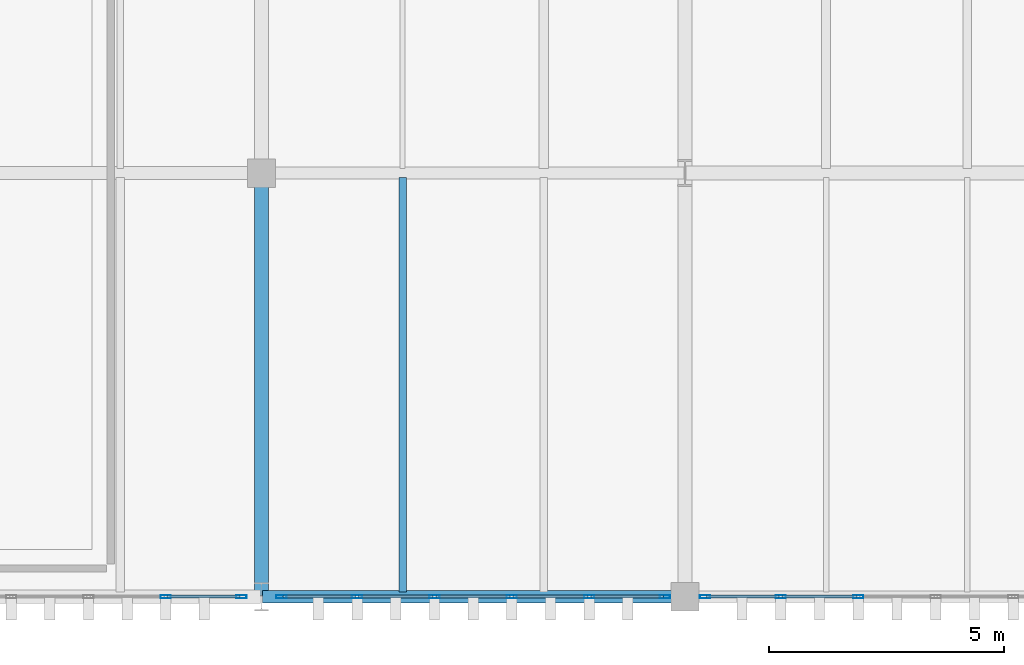
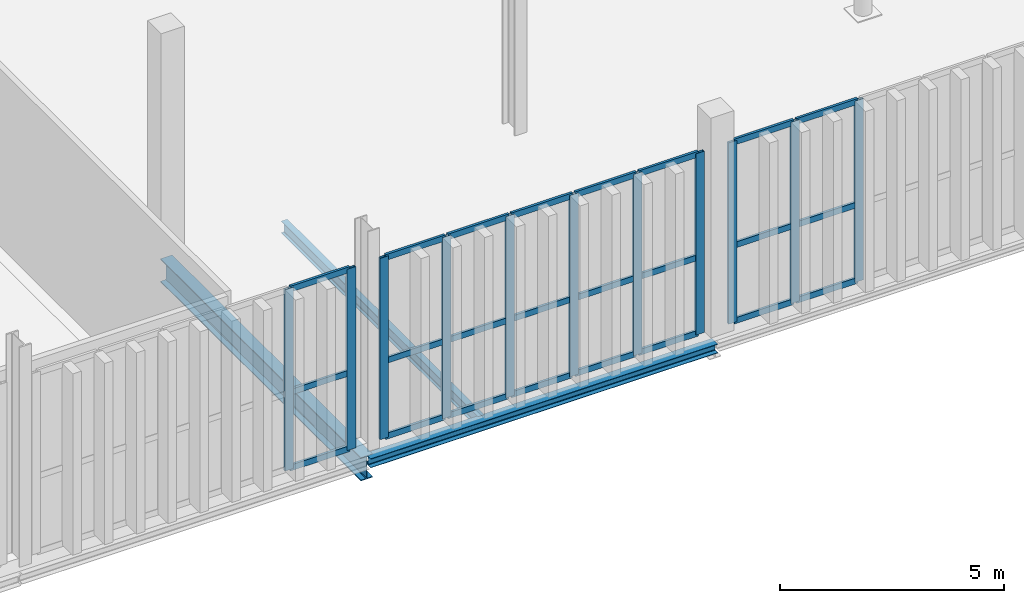
# One storey, part 89 of 211: 35 members, 3 beams, 3 elements without a shape of their own.
"""IFC4 building model written with IfcOpenShell, lengths in metres."""

from ifc_helpers import new_model, si_unit, direction, frame, origin, origin_2d, place, context, subcontext, project, spatial, hollow_rectangle, i_section, extrude, material, layer, layer_set, material_profile, profile_set, type_object, element, aggregate, save


model = new_model("IFC4")

# Units and contexts
model_context = context("Model", 3, precision=1e-05, world=origin(), true_north=direction((0.0, 1.0)))
body_context = subcontext(model_context, "Body", "Model", "MODEL_VIEW")
ifc_project = project(units=[si_unit("LENGTHUNIT", "METRE"), si_unit("AREAUNIT", "SQUARE_METRE"), si_unit("VOLUMEUNIT", "CUBIC_METRE"), si_unit("PLANEANGLEUNIT", "RADIAN"), si_unit("MASSUNIT", "GRAM", prefix="KILO")], contexts=[model_context])

# Site, building, storey
site_placement = place(None, origin())
site = spatial("IfcSite", under=ifc_project, at=site_placement, CompositionType="ELEMENT")
building_placement = place(site_placement, origin())
building = spatial("IfcBuilding", under=site, at=building_placement, Name="Barlavento Convention Centre", CompositionType="ELEMENT")
storey_placement = place(building_placement, frame((0.0, 0.0, 6.0)))
storey = spatial("IfcBuildingStorey", under=building, at=storey_placement, Name="L01", CompositionType="ELEMENT", Elevation=6.0)

# Curtain wall, members
ifc_material_1 = material(Name="Powder-coated aluminium and Low-E glass", Category="aluminium")
ifc_layer = layer(ifc_material_1, 0.18994140625)
ifc_layer_set = layer_set([ifc_layer], Name="ARC-CW-BALL-L01")
curtain_wall_type = type_object("IfcCurtainWallType", Name="ARC-CW-BALL-L01", PredefinedType="NOTDEFINED", material=ifc_layer_set)
curtain_wall_1_placement = place(storey_placement, origin())
curtain_wall_1 = element("IfcCurtainWall", 1, at=curtain_wall_1_placement, inside=storey, type_object=curtain_wall_type, Name="L01 unitised curtain wall CW06", PredefinedType="NOTDEFINED")
ifc_material_2 = material(Name="Powder-coated aluminium", Category="aluminium")
ifc_material_profile_1 = material_profile(ifc_material_2, hollow_rectangle(XDim=0.070068359375, YDim=0.219970703125, WallThickness=0.006103515625, at=origin_2d()), Name="AL-MULL 70x220x6")
ifc_profile_set_1 = profile_set([ifc_material_profile_1], Name="Powder-coated aluminium")
member_type_1 = type_object("IfcMemberType", Name="ARC-CWM-70X220", PredefinedType="MULLION", material=ifc_profile_set_1)
member_1_placement = place(storey_placement, frame((159.968017578125, 0.0, 0.0), z_axis=(0.0, 0.0, 1.0), x_axis=(0.0, 1.0, 0.0)))
member_1 = element("IfcMember", 2, at=member_1_placement, type_object=member_type_1, Name="CW06 mullion 5", PredefinedType="MULLION", context=body_context, shape_type="SweptSolid", body=[
    extrude(hollow_rectangle(XDim=0.070068359375, YDim=0.219970703125, WallThickness=0.006103515625, at=origin_2d()), origin(), (0.0, 0.0, 1.0), 4.949951171875),
])
member_2_placement = place(storey_placement, frame((161.574951171875, 0.0, 0.0), z_axis=(0.0, 0.0, 1.0), x_axis=(0.0, 1.0, 0.0)))
member_2 = element("IfcMember", 3, at=member_2_placement, type_object=member_type_1, Name="CW06 mullion 6", PredefinedType="MULLION", context=body_context, shape_type="SweptSolid", body=[
    extrude(hollow_rectangle(XDim=0.070068359375, YDim=0.219970703125, WallThickness=0.006103515625, at=origin_2d()), origin(), (0.0, 0.0, 1.0), 4.949951171875),
])

curtain_wall_2_placement = place(storey_placement, origin())
curtain_wall_2 = element("IfcCurtainWall", 4, at=curtain_wall_2_placement, inside=storey, type_object=curtain_wall_type, Name="L01 unitised curtain wall CW06", PredefinedType="NOTDEFINED")
member_3_placement = place(storey_placement, frame((162.425048828125, 0.0, 0.0), z_axis=(0.0, 0.0, 1.0), x_axis=(0.0, 1.0, 0.0)))
member_3 = element("IfcMember", 5, at=member_3_placement, type_object=member_type_1, Name="CW06 mullion 1", PredefinedType="MULLION", context=body_context, shape_type="SweptSolid", body=[
    extrude(hollow_rectangle(XDim=0.070068359375, YDim=0.219970703125, WallThickness=0.006103515625, at=origin_2d()), origin(), (0.0, 0.0, 1.0), 4.949951171875),
])
member_4_placement = place(storey_placement, frame((164.033935546875, 0.0, 0.0), z_axis=(0.0, 0.0, 1.0), x_axis=(0.0, 1.0, 0.0)))
member_4 = element("IfcMember", 6, at=member_4_placement, type_object=member_type_1, Name="CW06 mullion 2", PredefinedType="MULLION", context=body_context, shape_type="SweptSolid", body=[
    extrude(hollow_rectangle(XDim=0.070068359375, YDim=0.219970703125, WallThickness=0.006103515625, at=origin_2d()), origin(), (0.0, 0.0, 1.0), 4.949951171875),
])
member_5_placement = place(storey_placement, frame((165.677978515625, 0.0, 0.0), z_axis=(0.0, 0.0, 1.0), x_axis=(0.0, 1.0, 0.0)))
member_5 = element("IfcMember", 7, at=member_5_placement, type_object=member_type_1, Name="CW06 mullion 3", PredefinedType="MULLION", context=body_context, shape_type="SweptSolid", body=[
    extrude(hollow_rectangle(XDim=0.070068359375, YDim=0.219970703125, WallThickness=0.006103515625, at=origin_2d()), origin(), (0.0, 0.0, 1.0), 4.949951171875),
])
member_6_placement = place(storey_placement, frame((167.322021484375, 0.0, 0.0), z_axis=(0.0, 0.0, 1.0), x_axis=(0.0, 1.0, 0.0)))
member_6 = element("IfcMember", 8, at=member_6_placement, type_object=member_type_1, Name="CW06 mullion 4", PredefinedType="MULLION", context=body_context, shape_type="SweptSolid", body=[
    extrude(hollow_rectangle(XDim=0.070068359375, YDim=0.219970703125, WallThickness=0.006103515625, at=origin_2d()), origin(), (0.0, 0.0, 1.0), 4.949951171875),
])
member_7_placement = place(storey_placement, frame((168.966064453125, 0.0, 0.0), z_axis=(0.0, 0.0, 1.0), x_axis=(0.0, 1.0, 0.0)))
member_7 = element("IfcMember", 9, at=member_7_placement, type_object=member_type_1, Name="CW06 mullion 5", PredefinedType="MULLION", context=body_context, shape_type="SweptSolid", body=[
    extrude(hollow_rectangle(XDim=0.070068359375, YDim=0.219970703125, WallThickness=0.006103515625, at=origin_2d()), origin(), (0.0, 0.0, 1.0), 4.949951171875),
])
member_8_placement = place(storey_placement, frame((170.574951171875, 0.0, 0.0), z_axis=(0.0, 0.0, 1.0), x_axis=(0.0, 1.0, 0.0)))
member_8 = element("IfcMember", 10, at=member_8_placement, type_object=member_type_1, Name="CW06 mullion 6", PredefinedType="MULLION", context=body_context, shape_type="SweptSolid", body=[
    extrude(hollow_rectangle(XDim=0.070068359375, YDim=0.219970703125, WallThickness=0.006103515625, at=origin_2d()), origin(), (0.0, 0.0, 1.0), 4.949951171875),
])

curtain_wall_3_placement = place(storey_placement, origin())
curtain_wall_3 = element("IfcCurtainWall", 11, at=curtain_wall_3_placement, inside=storey, type_object=curtain_wall_type, Name="L01 unitised curtain wall CW06", PredefinedType="NOTDEFINED")
member_9_placement = place(storey_placement, frame((171.425048828125, 0.0, 0.0), z_axis=(0.0, 0.0, 1.0), x_axis=(0.0, 1.0, 0.0)))
member_9 = element("IfcMember", 12, at=member_9_placement, type_object=member_type_1, Name="CW06 mullion 1", PredefinedType="MULLION", context=body_context, shape_type="SweptSolid", body=[
    extrude(hollow_rectangle(XDim=0.070068359375, YDim=0.219970703125, WallThickness=0.006103515625, at=origin_2d()), origin(), (0.0, 0.0, 1.0), 4.949951171875),
])
member_10_placement = place(storey_placement, frame((173.036865234375, 0.0, 0.0), z_axis=(0.0, 0.0, 1.0), x_axis=(0.0, 1.0, 0.0)))
member_10 = element("IfcMember", 13, at=member_10_placement, type_object=member_type_1, Name="CW06 mullion 2", PredefinedType="MULLION", context=body_context, shape_type="SweptSolid", body=[
    extrude(hollow_rectangle(XDim=0.070068359375, YDim=0.219970703125, WallThickness=0.006103515625, at=origin_2d()), origin(), (0.0, 0.0, 1.0), 4.949951171875),
])
member_11_placement = place(storey_placement, frame((174.68359375, 0.0, 0.0), z_axis=(0.0, 0.0, 1.0), x_axis=(0.0, 1.0, 0.0)))
member_11 = element("IfcMember", 14, at=member_11_placement, type_object=member_type_1, Name="CW06 mullion 3", PredefinedType="MULLION", context=body_context, shape_type="SweptSolid", body=[
    extrude(hollow_rectangle(XDim=0.070068359375, YDim=0.219970703125, WallThickness=0.006103515625, at=origin_2d()), origin(), (0.0, 0.0, 1.0), 4.949951171875),
])

# Member
ifc_material_profile_2 = material_profile(ifc_material_2, hollow_rectangle(XDim=0.06494140625, YDim=0.159912109375, WallThickness=0.0048828125, at=origin_2d()), Name="AL-TRAN 65x160x5")
ifc_profile_set_2 = profile_set([ifc_material_profile_2], Name="Powder-coated aluminium")
member_type_2 = type_object("IfcMemberType", Name="ARC-CWT-65X160", PredefinedType="USERDEFINED", material=ifc_profile_set_2)
member_12_placement = place(storey_placement, frame((160.0029296875, 0.0, 0.032470703125), z_axis=(1.0, 0.0, 0.0), x_axis=(0.0, 1.0, 0.0)))
member_12 = element("IfcMember", 15, at=member_12_placement, type_object=member_type_2, Name="CW06 transom 5.1", ObjectType="TRANSOM", PredefinedType="USERDEFINED", context=body_context, shape_type="SweptSolid", body=[
    extrude(hollow_rectangle(XDim=0.06494140625, YDim=0.159912109375, WallThickness=0.0048828125, at=origin_2d()), origin(), (0.0, 0.0, 1.0), 1.537109375),
])

member_13_placement = place(storey_placement, frame((160.0029296875, 0.0, 2.10009765625), z_axis=(1.0, 0.0, 0.0), x_axis=(0.0, 1.0, 0.0)))
member_13 = element("IfcMember", 16, at=member_13_placement, type_object=member_type_2, Name="CW06 transom 5.2", ObjectType="TRANSOM", PredefinedType="USERDEFINED", context=body_context, shape_type="SweptSolid", body=[
    extrude(hollow_rectangle(XDim=0.06494140625, YDim=0.159912109375, WallThickness=0.0048828125, at=origin_2d()), origin(), (0.0, 0.0, 1.0), 1.537109375),
])

member_14_placement = place(storey_placement, frame((160.0029296875, 0.0, 4.91748046875), z_axis=(1.0, 0.0, 0.0), x_axis=(0.0, 1.0, 0.0)))
member_14 = element("IfcMember", 17, at=member_14_placement, type_object=member_type_2, Name="CW06 transom 5.3", ObjectType="TRANSOM", PredefinedType="USERDEFINED", context=body_context, shape_type="SweptSolid", body=[
    extrude(hollow_rectangle(XDim=0.06494140625, YDim=0.159912109375, WallThickness=0.0048828125, at=origin_2d()), origin(), (0.0, 0.0, 1.0), 1.537109375),
])

aggregate(curtain_wall_1, [member_1, member_2, member_12, member_13, member_14])

member_15_placement = place(storey_placement, frame((162.4599609375, 0.0, 0.032470703125), z_axis=(1.0, 0.0, 0.0), x_axis=(0.0, 1.0, 0.0)))
member_15 = element("IfcMember", 18, at=member_15_placement, type_object=member_type_2, Name="CW06 transom 1.1", ObjectType="TRANSOM", PredefinedType="USERDEFINED", context=body_context, shape_type="SweptSolid", body=[
    extrude(hollow_rectangle(XDim=0.06494140625, YDim=0.159912109375, WallThickness=0.0048828125, at=origin_2d()), origin(), (0.0, 0.0, 1.0), 1.5390625),
])

member_16_placement = place(storey_placement, frame((162.4599609375, 0.0, 2.10009765625), z_axis=(1.0, 0.0, 0.0), x_axis=(0.0, 1.0, 0.0)))
member_16 = element("IfcMember", 19, at=member_16_placement, type_object=member_type_2, Name="CW06 transom 1.2", ObjectType="TRANSOM", PredefinedType="USERDEFINED", context=body_context, shape_type="SweptSolid", body=[
    extrude(hollow_rectangle(XDim=0.06494140625, YDim=0.159912109375, WallThickness=0.0048828125, at=origin_2d()), origin(), (0.0, 0.0, 1.0), 1.5390625),
])

member_17_placement = place(storey_placement, frame((162.4599609375, 0.0, 4.91748046875), z_axis=(1.0, 0.0, 0.0), x_axis=(0.0, 1.0, 0.0)))
member_17 = element("IfcMember", 20, at=member_17_placement, type_object=member_type_2, Name="CW06 transom 1.3", ObjectType="TRANSOM", PredefinedType="USERDEFINED", context=body_context, shape_type="SweptSolid", body=[
    extrude(hollow_rectangle(XDim=0.06494140625, YDim=0.159912109375, WallThickness=0.0048828125, at=origin_2d()), origin(), (0.0, 0.0, 1.0), 1.5390625),
])

member_18_placement = place(storey_placement, frame((164.069091796875, 0.0, 0.032470703125), z_axis=(1.0, 0.0, 0.0), x_axis=(0.0, 1.0, 0.0)))
member_18 = element("IfcMember", 21, at=member_18_placement, type_object=member_type_2, Name="CW06 transom 2.1", ObjectType="TRANSOM", PredefinedType="USERDEFINED", context=body_context, shape_type="SweptSolid", body=[
    extrude(hollow_rectangle(XDim=0.06494140625, YDim=0.159912109375, WallThickness=0.0048828125, at=origin_2d()), origin(), (0.0, 0.0, 1.0), 1.573974609375),
])

member_19_placement = place(storey_placement, frame((164.069091796875, 0.0, 2.10009765625), z_axis=(1.0, 0.0, 0.0), x_axis=(0.0, 1.0, 0.0)))
member_19 = element("IfcMember", 22, at=member_19_placement, type_object=member_type_2, Name="CW06 transom 2.2", ObjectType="TRANSOM", PredefinedType="USERDEFINED", context=body_context, shape_type="SweptSolid", body=[
    extrude(hollow_rectangle(XDim=0.06494140625, YDim=0.159912109375, WallThickness=0.0048828125, at=origin_2d()), origin(), (0.0, 0.0, 1.0), 1.573974609375),
])

member_20_placement = place(storey_placement, frame((164.069091796875, 0.0, 4.91748046875), z_axis=(1.0, 0.0, 0.0), x_axis=(0.0, 1.0, 0.0)))
member_20 = element("IfcMember", 23, at=member_20_placement, type_object=member_type_2, Name="CW06 transom 2.3", ObjectType="TRANSOM", PredefinedType="USERDEFINED", context=body_context, shape_type="SweptSolid", body=[
    extrude(hollow_rectangle(XDim=0.06494140625, YDim=0.159912109375, WallThickness=0.0048828125, at=origin_2d()), origin(), (0.0, 0.0, 1.0), 1.573974609375),
])

member_21_placement = place(storey_placement, frame((165.712890625, 0.0, 0.032470703125), z_axis=(1.0, 0.0, 0.0), x_axis=(0.0, 1.0, 0.0)))
member_21 = element("IfcMember", 24, at=member_21_placement, type_object=member_type_2, Name="CW06 transom 3.1", ObjectType="TRANSOM", PredefinedType="USERDEFINED", context=body_context, shape_type="SweptSolid", body=[
    extrude(hollow_rectangle(XDim=0.06494140625, YDim=0.159912109375, WallThickness=0.0048828125, at=origin_2d()), origin(), (0.0, 0.0, 1.0), 1.57421875),
])

member_22_placement = place(storey_placement, frame((165.712890625, 0.0, 2.10009765625), z_axis=(1.0, 0.0, 0.0), x_axis=(0.0, 1.0, 0.0)))
member_22 = element("IfcMember", 25, at=member_22_placement, type_object=member_type_2, Name="CW06 transom 3.2", ObjectType="TRANSOM", PredefinedType="USERDEFINED", context=body_context, shape_type="SweptSolid", body=[
    extrude(hollow_rectangle(XDim=0.06494140625, YDim=0.159912109375, WallThickness=0.0048828125, at=origin_2d()), origin(), (0.0, 0.0, 1.0), 1.57421875),
])

member_23_placement = place(storey_placement, frame((165.712890625, 0.0, 4.91748046875), z_axis=(1.0, 0.0, 0.0), x_axis=(0.0, 1.0, 0.0)))
member_23 = element("IfcMember", 26, at=member_23_placement, type_object=member_type_2, Name="CW06 transom 3.3", ObjectType="TRANSOM", PredefinedType="USERDEFINED", context=body_context, shape_type="SweptSolid", body=[
    extrude(hollow_rectangle(XDim=0.06494140625, YDim=0.159912109375, WallThickness=0.0048828125, at=origin_2d()), origin(), (0.0, 0.0, 1.0), 1.57421875),
])

member_24_placement = place(storey_placement, frame((167.35693359375, 0.0, 0.032470703125), z_axis=(1.0, 0.0, 0.0), x_axis=(0.0, 1.0, 0.0)))
member_24 = element("IfcMember", 27, at=member_24_placement, type_object=member_type_2, Name="CW06 transom 4.1", ObjectType="TRANSOM", PredefinedType="USERDEFINED", context=body_context, shape_type="SweptSolid", body=[
    extrude(hollow_rectangle(XDim=0.06494140625, YDim=0.159912109375, WallThickness=0.0048828125, at=origin_2d()), origin(), (0.0, 0.0, 1.0), 1.573974609375),
])

member_25_placement = place(storey_placement, frame((167.35693359375, 0.0, 2.10009765625), z_axis=(1.0, 0.0, 0.0), x_axis=(0.0, 1.0, 0.0)))
member_25 = element("IfcMember", 28, at=member_25_placement, type_object=member_type_2, Name="CW06 transom 4.2", ObjectType="TRANSOM", PredefinedType="USERDEFINED", context=body_context, shape_type="SweptSolid", body=[
    extrude(hollow_rectangle(XDim=0.06494140625, YDim=0.159912109375, WallThickness=0.0048828125, at=origin_2d()), origin(), (0.0, 0.0, 1.0), 1.573974609375),
])

member_26_placement = place(storey_placement, frame((167.35693359375, 0.0, 4.91748046875), z_axis=(1.0, 0.0, 0.0), x_axis=(0.0, 1.0, 0.0)))
member_26 = element("IfcMember", 29, at=member_26_placement, type_object=member_type_2, Name="CW06 transom 4.3", ObjectType="TRANSOM", PredefinedType="USERDEFINED", context=body_context, shape_type="SweptSolid", body=[
    extrude(hollow_rectangle(XDim=0.06494140625, YDim=0.159912109375, WallThickness=0.0048828125, at=origin_2d()), origin(), (0.0, 0.0, 1.0), 1.573974609375),
])

member_27_placement = place(storey_placement, frame((169.0009765625, 0.0, 0.032470703125), z_axis=(1.0, 0.0, 0.0), x_axis=(0.0, 1.0, 0.0)))
member_27 = element("IfcMember", 30, at=member_27_placement, type_object=member_type_2, Name="CW06 transom 5.1", ObjectType="TRANSOM", PredefinedType="USERDEFINED", context=body_context, shape_type="SweptSolid", body=[
    extrude(hollow_rectangle(XDim=0.06494140625, YDim=0.159912109375, WallThickness=0.0048828125, at=origin_2d()), origin(), (0.0, 0.0, 1.0), 1.5390625),
])

member_28_placement = place(storey_placement, frame((169.0009765625, 0.0, 2.10009765625), z_axis=(1.0, 0.0, 0.0), x_axis=(0.0, 1.0, 0.0)))
member_28 = element("IfcMember", 31, at=member_28_placement, type_object=member_type_2, Name="CW06 transom 5.2", ObjectType="TRANSOM", PredefinedType="USERDEFINED", context=body_context, shape_type="SweptSolid", body=[
    extrude(hollow_rectangle(XDim=0.06494140625, YDim=0.159912109375, WallThickness=0.0048828125, at=origin_2d()), origin(), (0.0, 0.0, 1.0), 1.5390625),
])

member_29_placement = place(storey_placement, frame((169.0009765625, 0.0, 4.91748046875), z_axis=(1.0, 0.0, 0.0), x_axis=(0.0, 1.0, 0.0)))
member_29 = element("IfcMember", 32, at=member_29_placement, type_object=member_type_2, Name="CW06 transom 5.3", ObjectType="TRANSOM", PredefinedType="USERDEFINED", context=body_context, shape_type="SweptSolid", body=[
    extrude(hollow_rectangle(XDim=0.06494140625, YDim=0.159912109375, WallThickness=0.0048828125, at=origin_2d()), origin(), (0.0, 0.0, 1.0), 1.5390625),
])

aggregate(curtain_wall_2, [member_3, member_4, member_5, member_6, member_7, member_8, member_15, member_16, member_17, member_18, member_19, member_20, member_21, member_22, member_23, member_24, member_25, member_26, member_27, member_28, member_29])

member_30_placement = place(storey_placement, frame((171.4599609375, 0.0, 0.032470703125), z_axis=(1.0, 0.0, 0.0), x_axis=(0.0, 1.0, 0.0)))
member_30 = element("IfcMember", 33, at=member_30_placement, type_object=member_type_2, Name="CW06 transom 1.1", ObjectType="TRANSOM", PredefinedType="USERDEFINED", context=body_context, shape_type="SweptSolid", body=[
    extrude(hollow_rectangle(XDim=0.06494140625, YDim=0.159912109375, WallThickness=0.0048828125, at=origin_2d()), origin(), (0.0, 0.0, 1.0), 1.541748046875),
])

member_31_placement = place(storey_placement, frame((171.4599609375, 0.0, 2.10009765625), z_axis=(1.0, 0.0, 0.0), x_axis=(0.0, 1.0, 0.0)))
member_31 = element("IfcMember", 34, at=member_31_placement, type_object=member_type_2, Name="CW06 transom 1.2", ObjectType="TRANSOM", PredefinedType="USERDEFINED", context=body_context, shape_type="SweptSolid", body=[
    extrude(hollow_rectangle(XDim=0.06494140625, YDim=0.159912109375, WallThickness=0.0048828125, at=origin_2d()), origin(), (0.0, 0.0, 1.0), 1.541748046875),
])

member_32_placement = place(storey_placement, frame((171.4599609375, 0.0, 4.91748046875), z_axis=(1.0, 0.0, 0.0), x_axis=(0.0, 1.0, 0.0)))
member_32 = element("IfcMember", 35, at=member_32_placement, type_object=member_type_2, Name="CW06 transom 1.3", ObjectType="TRANSOM", PredefinedType="USERDEFINED", context=body_context, shape_type="SweptSolid", body=[
    extrude(hollow_rectangle(XDim=0.06494140625, YDim=0.159912109375, WallThickness=0.0048828125, at=origin_2d()), origin(), (0.0, 0.0, 1.0), 1.541748046875),
])

member_33_placement = place(storey_placement, frame((173.07177734375, 0.0, 0.032470703125), z_axis=(1.0, 0.0, 0.0), x_axis=(0.0, 1.0, 0.0)))
member_33 = element("IfcMember", 36, at=member_33_placement, type_object=member_type_2, Name="CW06 transom 2.1", ObjectType="TRANSOM", PredefinedType="USERDEFINED", context=body_context, shape_type="SweptSolid", body=[
    extrude(hollow_rectangle(XDim=0.06494140625, YDim=0.159912109375, WallThickness=0.0048828125, at=origin_2d()), origin(), (0.0, 0.0, 1.0), 1.576904296875),
])

member_34_placement = place(storey_placement, frame((173.07177734375, 0.0, 2.10009765625), z_axis=(1.0, 0.0, 0.0), x_axis=(0.0, 1.0, 0.0)))
member_34 = element("IfcMember", 37, at=member_34_placement, type_object=member_type_2, Name="CW06 transom 2.2", ObjectType="TRANSOM", PredefinedType="USERDEFINED", context=body_context, shape_type="SweptSolid", body=[
    extrude(hollow_rectangle(XDim=0.06494140625, YDim=0.159912109375, WallThickness=0.0048828125, at=origin_2d()), origin(), (0.0, 0.0, 1.0), 1.576904296875),
])

member_35_placement = place(storey_placement, frame((173.07177734375, 0.0, 4.91748046875), z_axis=(1.0, 0.0, 0.0), x_axis=(0.0, 1.0, 0.0)))
member_35 = element("IfcMember", 38, at=member_35_placement, type_object=member_type_2, Name="CW06 transom 2.3", ObjectType="TRANSOM", PredefinedType="USERDEFINED", context=body_context, shape_type="SweptSolid", body=[
    extrude(hollow_rectangle(XDim=0.06494140625, YDim=0.159912109375, WallThickness=0.0048828125, at=origin_2d()), origin(), (0.0, 0.0, 1.0), 1.576904296875),
])

aggregate(curtain_wall_3, [member_9, member_10, member_11, member_30, member_31, member_32, member_33, member_34, member_35])

# Beams
ifc_material_3 = material(Name="Steel S355", Category="steel")
ifc_material_profile_3 = material_profile(ifc_material_3, i_section(OverallWidth=0.159912109375, OverallDepth=0.330078125, WebThickness=0.007568359375, FlangeThickness=0.011474609375, FilletRadius=0.01806640625, at=origin_2d()), Name="IPE 330")
ifc_profile_set_3 = profile_set([ifc_material_profile_3], Name="Steel S355")
beam_type_1 = type_object("IfcBeamType", Name="STR-BM-JST-IPE330", PredefinedType="JOIST", material=ifc_profile_set_3)
beam_1_placement = place(storey_placement, frame((165.0, 0.094970703125, -0.52490234375), z_axis=(0.0, 1.0, 0.0), x_axis=(-1.0, 0.0, 0.0)))
element("IfcBeam", 39, at=beam_1_placement, inside=storey, type_object=beam_type_1, Name="L01 composite floor joist SJ06", PredefinedType="JOIST", context=body_context, shape_type="SweptSolid", body=[
    extrude(i_section(OverallWidth=0.159912109375, OverallDepth=0.330078125, WebThickness=0.007568359375, FlangeThickness=0.011474609375, FilletRadius=0.01806640625, at=origin_2d()), origin(), (0.0, 0.0, 1.0), 8.81005859375),
])
ifc_material_profile_4 = material_profile(ifc_material_3, i_section(OverallWidth=0.300048828125, OverallDepth=0.639892578125, WebThickness=0.013427734375, FlangeThickness=0.02587890625, FilletRadius=0.027099609375, at=origin_2d()), Name="HEA 650")
ifc_profile_set_4 = profile_set([ifc_material_profile_4], Name="Steel S355")
beam_type_2 = type_object("IfcBeamType", Name="STR-BM-PRI-HEA650", PredefinedType="BEAM", material=ifc_profile_set_4)
beam_2_placement = place(storey_placement, frame((162.0, 0.02001953125, -0.679931640625), z_axis=(0.0, 1.0, 0.0), x_axis=(-1.0, 0.0, 0.0)))
element("IfcBeam", 40, at=beam_2_placement, inside=storey, type_object=beam_type_2, Name="L01 grid girder BG17", PredefinedType="BEAM", context=body_context, shape_type="SweptSolid", body=[
    extrude(i_section(OverallWidth=0.300048828125, OverallDepth=0.639892578125, WebThickness=0.013427734375, FlangeThickness=0.02587890625, FilletRadius=0.027099609375, at=origin_2d()), origin(), (0.0, 0.0, 1.0), 8.9599609375),
])
ifc_material_profile_5 = material_profile(ifc_material_3, i_section(OverallWidth=0.260009765625, OverallDepth=0.25, WebThickness=0.007568359375, FlangeThickness=0.012451171875, FilletRadius=0.02392578125, at=origin_2d()), Name="HEA 260")
ifc_profile_set_5 = profile_set([ifc_material_profile_5], Name="Steel S355")
beam_type_3 = type_object("IfcBeamType", Name="STR-BM-SPN-HEA260", PredefinedType="SPANDREL", material=ifc_profile_set_5)
beam_3_placement = place(storey_placement, frame((162.02001953125, 0.0, -0.485107421875), z_axis=(1.0, 0.0, 0.0), x_axis=(0.0, 1.0, 0.0)))
element("IfcBeam", 41, at=beam_3_placement, inside=storey, type_object=beam_type_3, Name="L01 primary girder SP04", PredefinedType="SPANDREL", context=body_context, shape_type="SweptSolid", body=[
    extrude(i_section(OverallWidth=0.260009765625, OverallDepth=0.25, WebThickness=0.007568359375, FlangeThickness=0.012451171875, FilletRadius=0.02392578125, at=origin_2d()), origin(), (0.0, 0.0, 1.0), 8.9599609375),
])

save(model, "model.ifc")
